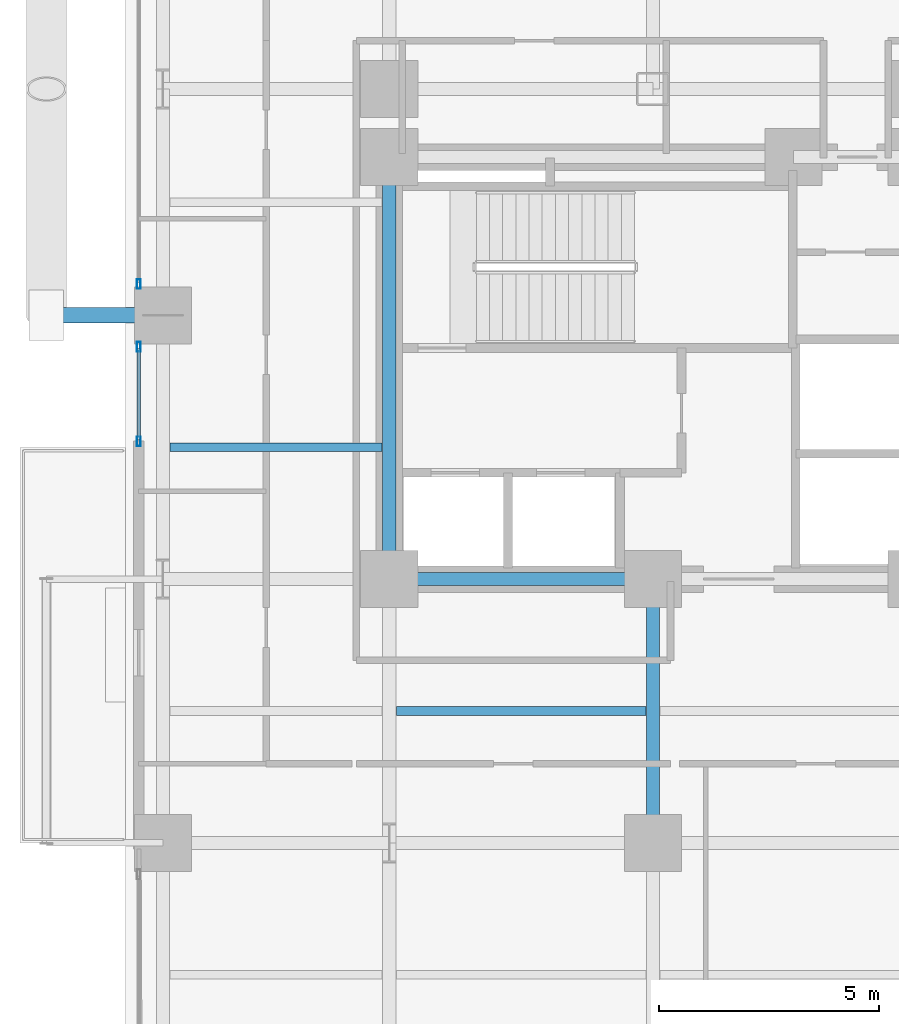
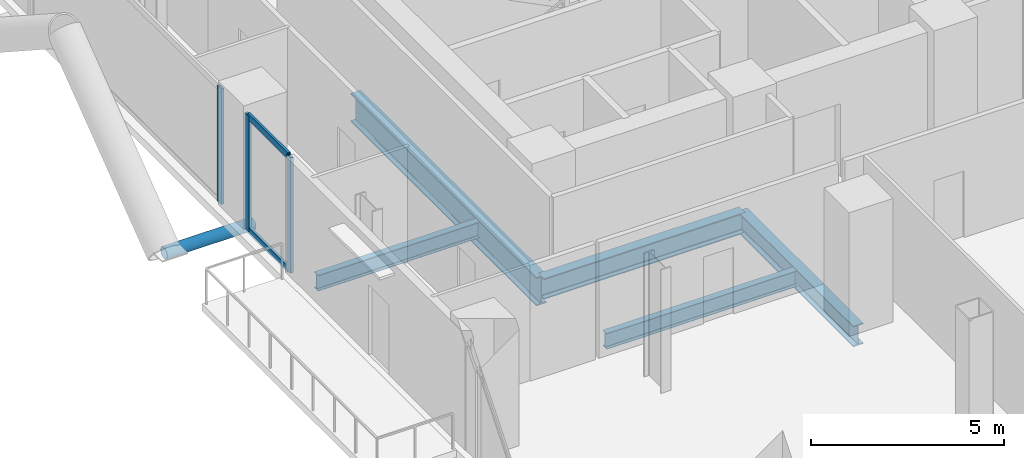
# One storey, part 5 of 25: 6 members, 5 beams, 2 elements without a shape of their own.
"""IFC4 building model written with IfcOpenShell, lengths in metres."""

from ifc_helpers import new_model, si_unit, direction, frame, origin, origin_2d, place, context, subcontext, project, spatial, hollow_rectangle, hollow_circle, i_section, extrude, material, layer, layer_set, material_profile, profile_set, type_object, element, aggregate, save


model = new_model("IFC4")

# Units and contexts
model_context = context("Model", 3, precision=1e-05, world=origin(), true_north=direction((0.0, 1.0)))
body_context = subcontext(model_context, "Body", "Model", "MODEL_VIEW")
ifc_project = project(units=[si_unit("LENGTHUNIT", "METRE"), si_unit("AREAUNIT", "SQUARE_METRE"), si_unit("VOLUMEUNIT", "CUBIC_METRE"), si_unit("PLANEANGLEUNIT", "RADIAN"), si_unit("MASSUNIT", "GRAM", prefix="KILO"), si_unit("THERMODYNAMICTEMPERATUREUNIT", "KELVIN"), si_unit("POWERUNIT", "WATT")], contexts=[model_context])

# Site, building, storey
site_placement = place(None, origin())
site = spatial("IfcSite", under=ifc_project, at=site_placement, CompositionType="ELEMENT")
building_placement = place(site_placement, origin())
building = spatial("IfcBuilding", under=site, at=building_placement, Name="Svarakhadi Broadcast Tower", CompositionType="ELEMENT")
storey_placement = place(building_placement, frame((0.0, 0.0, 36.300048828125)))
storey = spatial("IfcBuildingStorey", under=building, at=storey_placement, Name="L07", CompositionType="ELEMENT", Elevation=36.300048828125)

# Beams
ifc_material_1 = material(Name="Steel S355J2 (IS 2062 E350C)", Category="steel")
ifc_material_profile_1 = material_profile(ifc_material_1, i_section(OverallWidth=0.199951171875, OverallDepth=0.5, WebThickness=0.01025390625, FlangeThickness=0.01611328125, FilletRadius=0.02099609375, at=origin_2d()), Name="NPB 500x200x91")
ifc_profile_set_1 = profile_set([ifc_material_profile_1], Name="Steel S355J2 (IS 2062 E350C)")
beam_type_1 = type_object("IfcBeamType", Name="Beam_NPB500", PredefinedType="BEAM", material=ifc_profile_set_1)
beam_1_placement = place(storey_placement, frame((1.010009765625, 21.0, -0.5), z_axis=(1.0, 0.0, 0.0), x_axis=(0.0, 1.0, 0.0)))
element("IfcBeam", 1, at=beam_1_placement, inside=storey, type_object=beam_type_1, Name="L07 Secondary Composite Beam SB003", PredefinedType="BEAM", context=body_context, shape_type="SweptSolid", body=[
    extrude(i_section(OverallWidth=0.199951171875, OverallDepth=0.5, WebThickness=0.01025390625, FlangeThickness=0.01611328125, FilletRadius=0.02099609375, at=origin_2d()), origin(), (0.0, 0.0, 1.0), 4.830078125),
])
beam_2_placement = place(storey_placement, frame((6.159912109375, 15.0, -0.5), z_axis=(1.0, 0.0, 0.0), x_axis=(0.0, 1.0, 0.0)))
element("IfcBeam", 2, at=beam_2_placement, inside=storey, type_object=beam_type_1, Name="L07 Secondary Composite Beam SB009", PredefinedType="BEAM", context=body_context, shape_type="SweptSolid", body=[
    extrude(i_section(OverallWidth=0.199951171875, OverallDepth=0.5, WebThickness=0.01025390625, FlangeThickness=0.01611328125, FilletRadius=0.02099609375, at=origin_2d()), origin(), (0.0, 0.0, 1.0), 5.68017578125),
])

# Curtain wall, members
ifc_material_2 = material(Name="Anodised Bronze Aluminium AA 6063-T6", Category="aluminium")
ifc_layer = layer(ifc_material_2, 0.219970703125)
ifc_layer_set = layer_set([ifc_layer], Name="Anodised Bronze Aluminium AA 6063-T6")
curtain_wall_type = type_object("IfcCurtainWallType", Name="CW_Sys_02", PredefinedType="NOTDEFINED", material=ifc_layer_set)
curtain_wall_1_placement = place(storey_placement, origin())
curtain_wall_1 = element("IfcCurtainWall", 3, at=curtain_wall_1_placement, inside=storey, type_object=curtain_wall_type, Name="L07 West Curtain Wall 03 Bay 1", PredefinedType="NOTDEFINED")
ifc_material_profile_2 = material_profile(ifc_material_2, hollow_rectangle(XDim=0.0849609375, YDim=0.219970703125, WallThickness=0.006103515625, at=origin_2d()), Name="ALU MULLION 220x85x6")
ifc_profile_set_2 = profile_set([ifc_material_profile_2], Name="Anodised Bronze Aluminium AA 6063-T6")
member_type_1 = type_object("IfcMemberType", Name="CW_Sys_02_Mul", PredefinedType="MULLION", material=ifc_profile_set_2)
member_1_placement = place(storey_placement, frame((0.300048828125, 21.132568359375, 0.0), z_axis=(0.0, 0.0, 1.0), x_axis=(-1.0, 0.0, 0.0)))
member_1 = element("IfcMember", 4, at=member_1_placement, type_object=member_type_1, Name="CW-02 mullion 1", PredefinedType="MULLION", context=body_context, shape_type="SweptSolid", body=[
    extrude(hollow_rectangle(XDim=0.0849609375, YDim=0.219970703125, WallThickness=0.006103515625, at=origin_2d()), origin(), (0.0, 0.0, 1.0), 3.64990234375),
])
member_2_placement = place(storey_placement, frame((0.300048828125, 23.28759765625, 0.0), z_axis=(0.0, 0.0, 1.0), x_axis=(-1.0, 0.0, 0.0)))
member_2 = element("IfcMember", 5, at=member_2_placement, type_object=member_type_1, Name="CW-02 mullion 2", PredefinedType="MULLION", context=body_context, shape_type="SweptSolid", body=[
    extrude(hollow_rectangle(XDim=0.0849609375, YDim=0.219970703125, WallThickness=0.006103515625, at=origin_2d()), origin(), (0.0, 0.0, 1.0), 3.64990234375),
])

# Curtain wall, member
curtain_wall_2_placement = place(storey_placement, origin())
curtain_wall_2 = element("IfcCurtainWall", 6, at=curtain_wall_2_placement, inside=storey, type_object=curtain_wall_type, Name="L07 West Curtain Wall 03 Bay 2", PredefinedType="NOTDEFINED")
member_3_placement = place(storey_placement, frame((0.300048828125, 24.71240234375, 0.0), z_axis=(0.0, 0.0, 1.0), x_axis=(-1.0, 0.0, 0.0)))
member_3 = element("IfcMember", 7, at=member_3_placement, type_object=member_type_1, Name="CW-02 mullion 1", PredefinedType="MULLION", context=body_context, shape_type="SweptSolid", body=[
    extrude(hollow_rectangle(XDim=0.0849609375, YDim=0.219970703125, WallThickness=0.006103515625, at=origin_2d()), origin(), (0.0, 0.0, 1.0), 3.64990234375),
])
aggregate(curtain_wall_2, [member_3])

# Member
ifc_material_profile_3 = material_profile(ifc_material_2, hollow_rectangle(XDim=0.074951171875, YDim=0.199951171875, WallThickness=0.0048828125, at=origin_2d()), Name="ALU TRANSOM 200x75x5")
ifc_profile_set_3 = profile_set([ifc_material_profile_3], Name="Anodised Bronze Aluminium AA 6063-T6")
member_type_2 = type_object("IfcMemberType", Name="CW_Sys_02_Trn", PredefinedType="USERDEFINED", material=ifc_profile_set_3)
member_4_placement = place(storey_placement, frame((0.300048828125, 21.175048828125, 0.037353515625), z_axis=(0.0, 1.0, 0.0), x_axis=(-1.0, 0.0, 0.0)))
member_4 = element("IfcMember", 8, at=member_4_placement, type_object=member_type_2, Name="CW-02 transom 1.1", ObjectType="TRANSOM", PredefinedType="USERDEFINED", context=body_context, shape_type="SweptSolid", body=[
    extrude(hollow_rectangle(XDim=0.074951171875, YDim=0.199951171875, WallThickness=0.0048828125, at=origin_2d()), origin(), (0.0, 0.0, 1.0), 2.070068359375),
])

member_5_placement = place(storey_placement, frame((0.300048828125, 21.175048828125, 3.612548828125), z_axis=(0.0, 1.0, 0.0), x_axis=(-1.0, 0.0, 0.0)))
member_5 = element("IfcMember", 9, at=member_5_placement, type_object=member_type_2, Name="CW-02 transom 1.2", ObjectType="TRANSOM", PredefinedType="USERDEFINED", context=body_context, shape_type="SweptSolid", body=[
    extrude(hollow_rectangle(XDim=0.074951171875, YDim=0.199951171875, WallThickness=0.0048828125, at=origin_2d()), origin(), (0.0, 0.0, 1.0), 2.070068359375),
])

aggregate(curtain_wall_1, [member_1, member_2, member_4, member_5])

ifc_material_3 = material(Name="Steel S460ML (IS 2062 E450BR)", Category="steel")
ifc_material_profile_4 = material_profile(ifc_material_3, hollow_circle(Radius=0.177734375, WallThickness=0.02001953125, at=origin_2d()), Name="CHS 355.6x20")
ifc_profile_set_4 = profile_set([ifc_material_profile_4], Name="Steel S460ML (IS 2062 E450BR)")
member_type_3 = type_object("IfcMemberType", Name="Exo_Radial_Strut_Z1", PredefinedType="STRUT", material=ifc_profile_set_4)
member_6_placement = place(storey_placement, frame((-1.800048828125, 24.0, -0.427734375), z_axis=(1.0, 0.0, 0.0), x_axis=(0.0, 1.0, 0.0)))
element("IfcMember", 10, at=member_6_placement, inside=storey, type_object=member_type_3, Name="L07 Exoskeleton Radial Tie Strut W04", PredefinedType="STRUT", context=body_context, shape_type="SweptSolid", body=[
    extrude(hollow_circle(Radius=0.177734375, WallThickness=0.02001953125, at=origin_2d()), origin(), (0.0, 0.0, 1.0), 2.650146484375),
])

# Beams
ifc_material_profile_5 = material_profile(ifc_material_1, i_section(OverallWidth=0.300048828125, OverallDepth=0.64990234375, WebThickness=0.01611328125, FlangeThickness=0.031005859375, FilletRadius=0.027099609375, at=origin_2d()), Name="WPB 650x300x225")
ifc_profile_set_5 = profile_set([ifc_material_profile_5], Name="Steel S355J2 (IS 2062 E350C)")
beam_type_2 = type_object("IfcBeamType", Name="Girder_WPB650", PredefinedType="USERDEFINED", material=ifc_profile_set_5)
for number, where, z_axis, x_axis, name in (
    (11, (6.0, 18.0, -0.574951171875), (1.0, 0.0, 0.0), (0.0, 1.0, 0.0), "L07 Primary E-W Girder G026"),
    (12, (12.0, 12.0, -0.574951171875), (0.0, 1.0, 0.0), (-1.0, 0.0, 0.0), "L07 Primary N-S Girder G060"),
):
    element("IfcBeam", number, at=place(storey_placement, frame(where, z_axis=z_axis, x_axis=x_axis)), inside=storey, type_object=beam_type_2, Name=name, ObjectType="GIRDER", PredefinedType="USERDEFINED", context=body_context, shape_type="SweptSolid", body=[
        extrude(i_section(OverallWidth=0.300048828125, OverallDepth=0.64990234375, WebThickness=0.01611328125, FlangeThickness=0.031005859375, FilletRadius=0.027099609375, at=origin_2d()), origin(), (0.0, 0.0, 1.0), 6.0),
    ])
ifc_material_profile_6 = material_profile(ifc_material_3, i_section(OverallWidth=0.300048828125, OverallDepth=0.89990234375, WebThickness=0.0185546875, FlangeThickness=0.034912109375, FilletRadius=0.030029296875, at=origin_2d()), Name="WPB 900x300x291")
ifc_profile_set_6 = profile_set([ifc_material_profile_6], Name="Steel S460ML (IS 2062 E450BR)")
beam_type_3 = type_object("IfcBeamType", Name="Girder_WPB900", PredefinedType="USERDEFINED", material=ifc_profile_set_6)
beam_3_placement = place(storey_placement, frame((6.0, 18.0, -0.699951171875), z_axis=(0.0, 1.0, 0.0), x_axis=(-1.0, 0.0, 0.0)))
element("IfcBeam", 13, at=beam_3_placement, inside=storey, type_object=beam_type_3, Name="L07 Primary N-S Girder G054", ObjectType="GIRDER", PredefinedType="USERDEFINED", context=body_context, shape_type="SweptSolid", body=[
    extrude(i_section(OverallWidth=0.300048828125, OverallDepth=0.89990234375, WebThickness=0.0185546875, FlangeThickness=0.034912109375, FilletRadius=0.030029296875, at=origin_2d()), origin(), (0.0, 0.0, 1.0), 9.60009765625),
])

save(model, "model.ifc")
